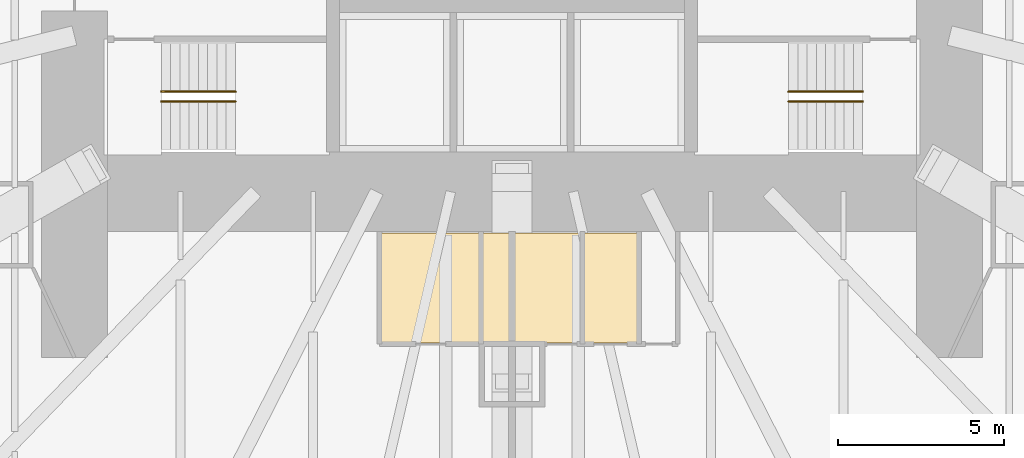
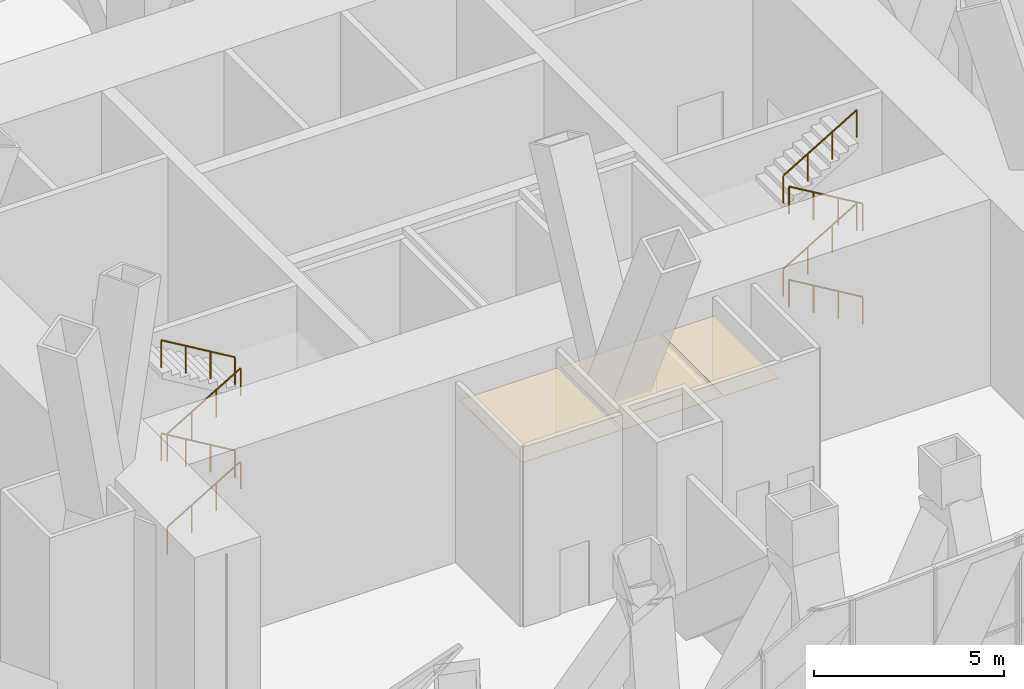
# One storey, part 21 of 21: 8 railings, 3 coverings.
"""IFC4 building model written with IfcOpenShell, lengths in metres."""

from ifc_helpers import new_model, si_unit, direction, frame, origin, origin_2d, place, context, subcontext, project, spatial, polyline, circle, outline, extrude, material, layer, layer_set, type_object, element, save


model = new_model("IFC4")

# Units and contexts
model_context = context("Model", 3, precision=1e-05, world=origin(), true_north=direction((0.0, 1.0)))
body_context = subcontext(model_context, "Body", "Model", "MODEL_VIEW")
ifc_project = project(units=[si_unit("LENGTHUNIT", "METRE"), si_unit("AREAUNIT", "SQUARE_METRE"), si_unit("VOLUMEUNIT", "CUBIC_METRE"), si_unit("PLANEANGLEUNIT", "RADIAN"), si_unit("MASSUNIT", "GRAM", prefix="KILO")], contexts=[model_context])

# Site, building, storey
site_placement = place(None, origin())
site = spatial("IfcSite", under=ifc_project, at=site_placement, CompositionType="ELEMENT")
building_placement = place(site_placement, origin())
building = spatial("IfcBuilding", under=site, at=building_placement, Name="Lantaw Convention Tower", CompositionType="ELEMENT")
storey_placement = place(building_placement, frame((0.0, 0.0, 105.39990234375)))
storey = spatial("IfcBuildingStorey", under=building, at=storey_placement, Name="L25", CompositionType="ELEMENT", Elevation=105.39990234375)

# Railings
ifc_material_1 = material(Name="Stainless steel", Category="steel")
railing_type = type_object("IfcRailingType", Name="Stair handrail", PredefinedType="HANDRAIL", material=ifc_material_1)
railing_1_placement = place(storey_placement, frame((-10.580078125, -5.280029296875, 0.166748046875)))
element("IfcRailing", 1, at=railing_1_placement, inside=storey, type_object=railing_type, Name="Stair handrail S1", PredefinedType="HANDRAIL", context=body_context, shape_type="SweptSolid", body=[
    extrude(circle(Radius=0.02392578125, at=origin_2d()), frame((0.0, 0.0, 0.8759765625), z_axis=(0.859305625298, 0.0, 0.511462454469), x_axis=(0.0, 1.0, 0.0)), (0.0, 0.0, 1.0), 2.606689453125),
    extrude(circle(Radius=0.02099609375, at=origin_2d()), origin(), (0.0, 0.0, 1.0), 0.851806640625),
    extrude(circle(Radius=0.02099609375, at=origin_2d()), frame((0.74658203125, 0.0, 0.4443359375)), (0.0, 0.0, 1.0), 0.851806640625),
    extrude(circle(Radius=0.02099609375, at=origin_2d()), frame((1.493408203125, 0.0, 0.888916015625)), (0.0, 0.0, 1.0), 0.851806640625),
    extrude(circle(Radius=0.02099609375, at=origin_2d()), frame((2.239990234375, 0.0, 1.333251953125)), (0.0, 0.0, 1.0), 0.851806640625),
])
railing_2_placement = place(storey_placement, frame((-8.340087890625, -4.97998046875, 1.666748046875)))
element("IfcRailing", 2, at=railing_2_placement, inside=storey, type_object=railing_type, Name="Stair handrail S1", PredefinedType="HANDRAIL", context=body_context, shape_type="SweptSolid", body=[
    extrude(circle(Radius=0.02392578125, at=origin_2d()), frame((0.0, 0.0, 0.8759765625), z_axis=(-0.859305625298, 0.0, 0.511462454469), x_axis=(0.0, -1.0, 0.0)), (0.0, 0.0, 1.0), 2.606689453125),
    extrude(circle(Radius=0.02099609375, at=origin_2d()), origin(), (0.0, 0.0, 1.0), 0.851806640625),
    extrude(circle(Radius=0.02099609375, at=origin_2d()), frame((-0.74658203125, 0.0, 0.4443359375)), (0.0, 0.0, 1.0), 0.851806640625),
    extrude(circle(Radius=0.02099609375, at=origin_2d()), frame((-1.493408203125, 0.0, 0.888916015625)), (0.0, 0.0, 1.0), 0.851806640625),
    extrude(circle(Radius=0.02099609375, at=origin_2d()), frame((-2.239990234375, 0.0, 1.333251953125)), (0.0, 0.0, 1.0), 0.851806640625),
])
railing_3_placement = place(storey_placement, frame((-10.580078125, -5.280029296875, 3.166748046875)))
element("IfcRailing", 3, at=railing_3_placement, inside=storey, type_object=railing_type, Name="Stair handrail S1", PredefinedType="HANDRAIL", context=body_context, shape_type="SweptSolid", body=[
    extrude(circle(Radius=0.02392578125, at=origin_2d()), frame((0.0, 0.0, 0.8759765625), z_axis=(0.859305625298, 0.0, 0.511462454469), x_axis=(0.0, 1.0, 0.0)), (0.0, 0.0, 1.0), 2.606689453125),
    extrude(circle(Radius=0.02099609375, at=origin_2d()), origin(), (0.0, 0.0, 1.0), 0.851806640625),
    extrude(circle(Radius=0.02099609375, at=origin_2d()), frame((0.74658203125, 0.0, 0.4443359375)), (0.0, 0.0, 1.0), 0.851806640625),
    extrude(circle(Radius=0.02099609375, at=origin_2d()), frame((1.493408203125, 0.0, 0.888916015625)), (0.0, 0.0, 1.0), 0.851806640625),
    extrude(circle(Radius=0.02099609375, at=origin_2d()), frame((2.239990234375, 0.0, 1.333251953125)), (0.0, 0.0, 1.0), 0.851806640625),
])
for number, where, name in (
    (4, (-8.340087890625, -4.97998046875, 4.666748046875), "Stair handrail S1"),
    (5, (10.580078125, -5.280029296875, 0.166748046875), "Stair handrail S2"),
):
    element("IfcRailing", number, at=place(storey_placement, frame(where)), inside=storey, type_object=railing_type, Name=name, PredefinedType="HANDRAIL", context=body_context, shape_type="SweptSolid", body=[
        extrude(circle(Radius=0.02392578125, at=origin_2d()), frame((0.0, 0.0, 0.8759765625), z_axis=(-0.859305625298, 0.0, 0.511462454469), x_axis=(0.0, -1.0, 0.0)), (0.0, 0.0, 1.0), 2.606689453125),
        extrude(circle(Radius=0.02099609375, at=origin_2d()), origin(), (0.0, 0.0, 1.0), 0.851806640625),
        extrude(circle(Radius=0.02099609375, at=origin_2d()), frame((-0.74658203125, 0.0, 0.4443359375)), (0.0, 0.0, 1.0), 0.851806640625),
        extrude(circle(Radius=0.02099609375, at=origin_2d()), frame((-1.493408203125, 0.0, 0.888916015625)), (0.0, 0.0, 1.0), 0.851806640625),
        extrude(circle(Radius=0.02099609375, at=origin_2d()), frame((-2.239990234375, 0.0, 1.333251953125)), (0.0, 0.0, 1.0), 0.851806640625),
    ])
railing_4_placement = place(storey_placement, frame((8.340087890625, -4.97998046875, 1.666748046875)))
element("IfcRailing", 6, at=railing_4_placement, inside=storey, type_object=railing_type, Name="Stair handrail S2", PredefinedType="HANDRAIL", context=body_context, shape_type="SweptSolid", body=[
    extrude(circle(Radius=0.02392578125, at=origin_2d()), frame((0.0, 0.0, 0.8759765625), z_axis=(0.859305625298, 0.0, 0.511462454469), x_axis=(0.0, 1.0, 0.0)), (0.0, 0.0, 1.0), 2.606689453125),
    extrude(circle(Radius=0.02099609375, at=origin_2d()), origin(), (0.0, 0.0, 1.0), 0.851806640625),
    extrude(circle(Radius=0.02099609375, at=origin_2d()), frame((0.74658203125, 0.0, 0.4443359375)), (0.0, 0.0, 1.0), 0.851806640625),
    extrude(circle(Radius=0.02099609375, at=origin_2d()), frame((1.493408203125, 0.0, 0.888916015625)), (0.0, 0.0, 1.0), 0.851806640625),
    extrude(circle(Radius=0.02099609375, at=origin_2d()), frame((2.239990234375, 0.0, 1.333251953125)), (0.0, 0.0, 1.0), 0.851806640625),
])
railing_5_placement = place(storey_placement, frame((10.580078125, -5.280029296875, 3.166748046875)))
element("IfcRailing", 7, at=railing_5_placement, inside=storey, type_object=railing_type, Name="Stair handrail S2", PredefinedType="HANDRAIL", context=body_context, shape_type="SweptSolid", body=[
    extrude(circle(Radius=0.02392578125, at=origin_2d()), frame((0.0, 0.0, 0.8759765625), z_axis=(-0.859305625298, 0.0, 0.511462454469), x_axis=(0.0, -1.0, 0.0)), (0.0, 0.0, 1.0), 2.606689453125),
    extrude(circle(Radius=0.02099609375, at=origin_2d()), origin(), (0.0, 0.0, 1.0), 0.851806640625),
    extrude(circle(Radius=0.02099609375, at=origin_2d()), frame((-0.74658203125, 0.0, 0.4443359375)), (0.0, 0.0, 1.0), 0.851806640625),
    extrude(circle(Radius=0.02099609375, at=origin_2d()), frame((-1.493408203125, 0.0, 0.888916015625)), (0.0, 0.0, 1.0), 0.851806640625),
    extrude(circle(Radius=0.02099609375, at=origin_2d()), frame((-2.239990234375, 0.0, 1.333251953125)), (0.0, 0.0, 1.0), 0.851806640625),
])
railing_6_placement = place(storey_placement, frame((8.340087890625, -4.97998046875, 4.666748046875)))
element("IfcRailing", 8, at=railing_6_placement, inside=storey, type_object=railing_type, Name="Stair handrail S2", PredefinedType="HANDRAIL", context=body_context, shape_type="SweptSolid", body=[
    extrude(circle(Radius=0.02392578125, at=origin_2d()), frame((0.0, 0.0, 0.8759765625), z_axis=(0.859305625298, 0.0, 0.511462454469), x_axis=(0.0, 1.0, 0.0)), (0.0, 0.0, 1.0), 2.606689453125),
    extrude(circle(Radius=0.02099609375, at=origin_2d()), origin(), (0.0, 0.0, 1.0), 0.851806640625),
    extrude(circle(Radius=0.02099609375, at=origin_2d()), frame((0.74658203125, 0.0, 0.4443359375)), (0.0, 0.0, 1.0), 0.851806640625),
    extrude(circle(Radius=0.02099609375, at=origin_2d()), frame((1.493408203125, 0.0, 0.888916015625)), (0.0, 0.0, 1.0), 0.851806640625),
    extrude(circle(Radius=0.02099609375, at=origin_2d()), frame((2.239990234375, 0.0, 1.333251953125)), (0.0, 0.0, 1.0), 0.851806640625),
])

# Coverings
ifc_material_2 = material(Name="Gypsum board on steel suspension grid", Category="steel")
ifc_layer = layer(ifc_material_2, 0.02001953125)
ifc_layer_set = layer_set([ifc_layer], Name="Suspended ceiling")
covering_type = type_object("IfcCoveringType", Name="Suspended ceiling", PredefinedType="CEILING", material=ifc_layer_set)
covering_1_placement = place(storey_placement, frame((0.0, 0.0, 5.2001953125)))
element("IfcCovering", 9, at=covering_1_placement, inside=storey, type_object=covering_type, Name="Female WC ceiling", PredefinedType="CEILING", context=body_context, shape_type="SweptSolid", body=[
    extrude(outline(polyline([(-3.9599609375, -12.56005859375), (-0.97998046875, -12.56005859375), (-0.97998046875, -9.239990234375), (-3.9599609375, -9.239990234375), (-3.9599609375, -12.56005859375)])), origin(), (0.0, 0.0, 1.0), 0.02001953125),
])
covering_2_placement = place(storey_placement, frame((0.0, 0.0, 5.2001953125)))
element("IfcCovering", 10, at=covering_2_placement, inside=storey, type_object=covering_type, Name="Male WC ceiling", PredefinedType="CEILING", context=body_context, shape_type="SweptSolid", body=[
    extrude(outline(polyline([(-0.89990234375, -12.56005859375), (2.080078125, -12.56005859375), (2.080078125, -9.239990234375), (-0.89990234375, -9.239990234375), (-0.89990234375, -12.56005859375)])), origin(), (0.0, 0.0, 1.0), 0.02001953125),
])
covering_3_placement = place(storey_placement, frame((0.0, 0.0, 5.2001953125)))
element("IfcCovering", 11, at=covering_3_placement, inside=storey, type_object=covering_type, Name="Accessible WC ceiling", PredefinedType="CEILING", context=body_context, shape_type="SweptSolid", body=[
    extrude(outline(polyline([(2.159912109375, -12.56005859375), (3.7900390625, -12.56005859375), (3.7900390625, -9.239990234375), (2.159912109375, -9.239990234375), (2.159912109375, -12.56005859375)])), origin(), (0.0, 0.0, 1.0), 0.02001953125),
])

save(model, "model.ifc")
